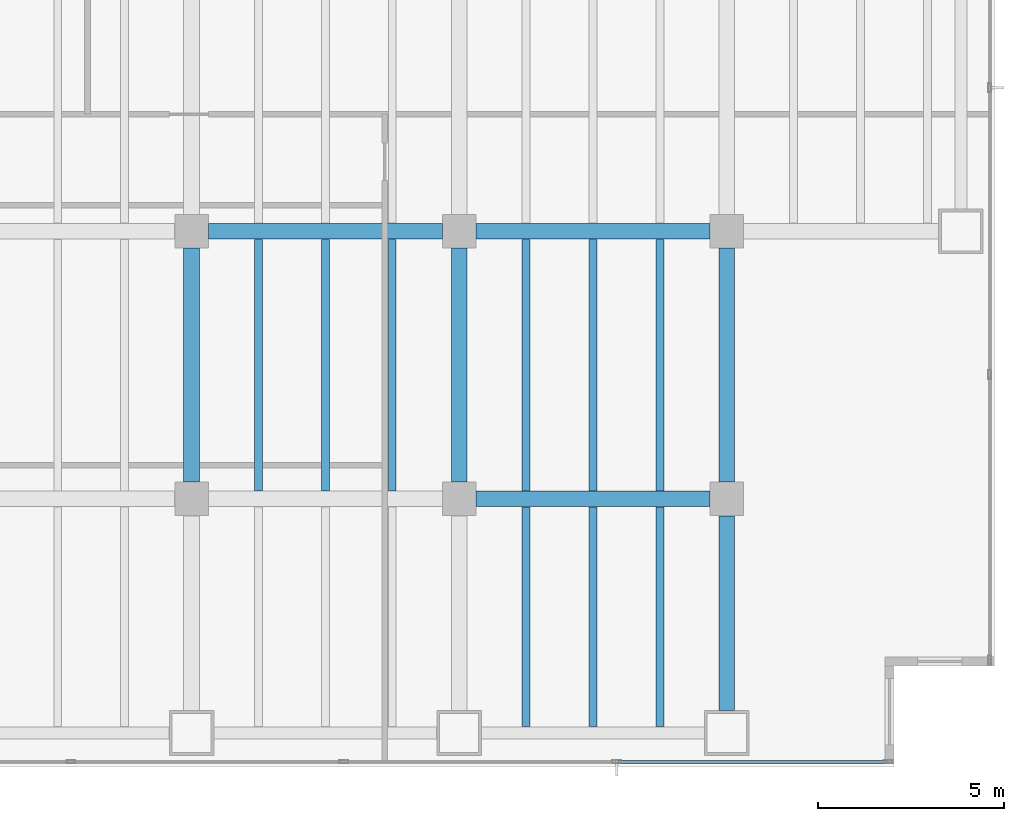
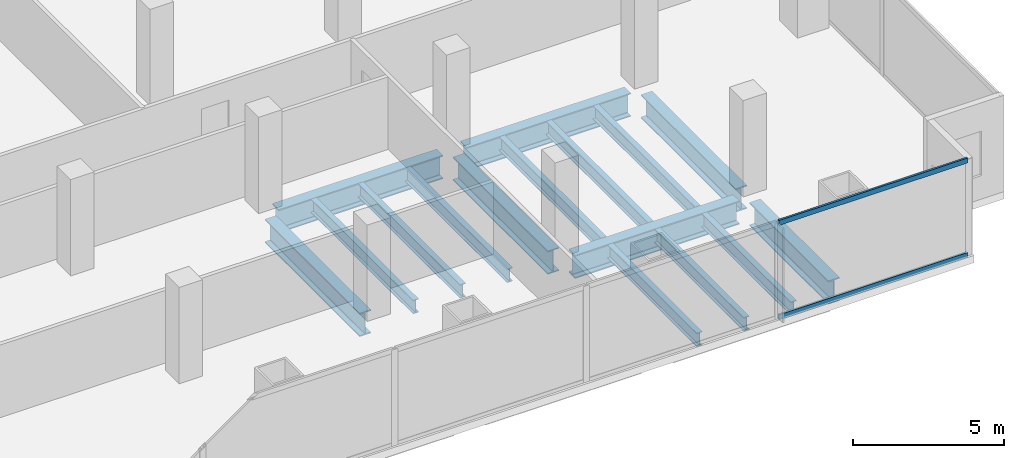
# One storey, part 17 of 31: 16 beams, 2 members, 1 element without a shape of its own.
"""IFC4 building model written with IfcOpenShell, lengths in metres."""

from ifc_helpers import new_model, si_unit, direction, frame, origin, origin_2d, place, context, subcontext, project, spatial, hollow_rectangle, i_section, extrude, material, material_profile, profile_set, type_object, element, aggregate, save


model = new_model("IFC4")

# Units and contexts
model_context = context("Model", 3, precision=1e-05, world=origin(), true_north=direction((0.0, 1.0)))
body_context = subcontext(model_context, "Body", "Model", "MODEL_VIEW")
ifc_project = project(units=[si_unit("LENGTHUNIT", "METRE"), si_unit("AREAUNIT", "SQUARE_METRE"), si_unit("VOLUMEUNIT", "CUBIC_METRE"), si_unit("PLANEANGLEUNIT", "RADIAN"), si_unit("MASSUNIT", "GRAM", prefix="KILO")], contexts=[model_context])

# Site, building, storey
site_placement = place(None, origin())
site = spatial("IfcSite", under=ifc_project, at=site_placement, CompositionType="ELEMENT")
building_placement = place(site_placement, origin())
building = spatial("IfcBuilding", under=site, at=building_placement, Name="Cobrela Telecom Tower", CompositionType="ELEMENT")
storey_placement = place(building_placement, frame((0.0, 0.0, 9.449951171875)))
storey = spatial("IfcBuildingStorey", under=building, at=storey_placement, Name="L02", CompositionType="ELEMENT", Elevation=9.449951171875)

# Beams
ifc_material_1 = material(Name="Steel ASTM A992 Grade 50", Category="steel")
ifc_material_profile_1 = material_profile(ifc_material_1, i_section(OverallWidth=0.424072265625, OverallDepth=0.947021484375, WebThickness=0.02392578125, FlangeThickness=0.042724609375, FilletRadius=0.02392578125, at=origin_2d()), Name="W36X302")
ifc_profile_set_1 = profile_set([ifc_material_profile_1], Name="Steel ASTM A992 Grade 50")
beam_type_1 = type_object("IfcBeamType", Name="BM-GIRD-01", PredefinedType="USERDEFINED", material=ifc_profile_set_1)
for number, where, z_axis, x_axis, name in (
    (1, (72.455078125, 7.199951171875, -0.7734375), (1.0, 0.0, 0.0), (0.0, 1.0, 0.0), "L02 Primary Girder X19"),
    (2, (65.2548828125, 14.39990234375, -0.7734375), (1.0, 0.0, 0.0), (0.0, 1.0, 0.0), "L02 Primary Girder X26"),
    (3, (72.455078125, 14.39990234375, -0.7734375), (1.0, 0.0, 0.0), (0.0, 1.0, 0.0), "L02 Primary Girder X27"),
    (4, (64.800048828125, 7.655029296875, -0.7734375), (0.0, 1.0, 0.0), (-1.0, 0.0, 0.0), "L02 Primary Girder Y92"),
    (5, (72.0, 7.655029296875, -0.7734375), (0.0, 1.0, 0.0), (-1.0, 0.0, 0.0), "L02 Primary Girder Y95"),
):
    element("IfcBeam", number, at=place(storey_placement, frame(where, z_axis=z_axis, x_axis=x_axis)), inside=storey, type_object=beam_type_1, Name=name, ObjectType="GIRDER", PredefinedType="USERDEFINED", context=body_context, shape_type="SweptSolid", body=[
        extrude(i_section(OverallWidth=0.424072265625, OverallDepth=0.947021484375, WebThickness=0.02392578125, FlangeThickness=0.042724609375, FilletRadius=0.02392578125, at=origin_2d()), origin(), (0.0, 0.0, 1.0), 6.2900390625),
    ])
beam_1_placement = place(storey_placement, frame((79.199951171875, 1.5048828125, -0.7734375), z_axis=(0.0, 1.0, 0.0), x_axis=(-1.0, 0.0, 0.0)))
element("IfcBeam", 6, at=beam_1_placement, inside=storey, type_object=beam_type_1, Name="L02 Primary Girder Y97", ObjectType="GIRDER", PredefinedType="USERDEFINED", context=body_context, shape_type="SweptSolid", body=[
    extrude(i_section(OverallWidth=0.424072265625, OverallDepth=0.947021484375, WebThickness=0.02392578125, FlangeThickness=0.042724609375, FilletRadius=0.02392578125, at=origin_2d()), origin(), (0.0, 0.0, 1.0), 5.240234375),
])
beam_2_placement = place(storey_placement, frame((79.199951171875, 7.655029296875, -0.7734375), z_axis=(0.0, 1.0, 0.0), x_axis=(-1.0, 0.0, 0.0)))
element("IfcBeam", 7, at=beam_2_placement, inside=storey, type_object=beam_type_1, Name="L02 Primary Girder Y98", ObjectType="GIRDER", PredefinedType="USERDEFINED", context=body_context, shape_type="SweptSolid", body=[
    extrude(i_section(OverallWidth=0.424072265625, OverallDepth=0.947021484375, WebThickness=0.02392578125, FlangeThickness=0.042724609375, FilletRadius=0.02392578125, at=origin_2d()), origin(), (0.0, 0.0, 1.0), 6.2900390625),
])
ifc_material_profile_2 = material_profile(ifc_material_1, i_section(OverallWidth=0.212890625, OverallDepth=0.549072265625, WebThickness=0.0146484375, FlangeThickness=0.023681640625, FilletRadius=0.013916015625, at=origin_2d()), Name="W21X93")
ifc_profile_set_2 = profile_set([ifc_material_profile_2], Name="Steel ASTM A992 Grade 50")
beam_type_2 = type_object("IfcBeamType", Name="BM-JOIST-01", PredefinedType="JOIST", material=ifc_profile_set_2)
for number, where, z_axis, x_axis, name in (
    (8, (66.60009765625, 7.4169921875, -0.574462890625), (0.0, 1.0, 0.0), (-1.0, 0.0, 0.0), "L02 Secondary Composite Floor Beam J119"),
    (9, (68.39990234375, 7.4169921875, -0.574462890625), (0.0, 1.0, 0.0), (-1.0, 0.0, 0.0), "L02 Secondary Composite Floor Beam J122"),
    (10, (70.199951171875, 7.4169921875, -0.574462890625), (0.0, 1.0, 0.0), (-1.0, 0.0, 0.0), "L02 Secondary Composite Floor Beam J125"),
):
    element("IfcBeam", number, at=place(storey_placement, frame(where, z_axis=z_axis, x_axis=x_axis)), inside=storey, type_object=beam_type_2, Name=name, PredefinedType="JOIST", context=body_context, shape_type="SweptSolid", body=[
        extrude(i_section(OverallWidth=0.212890625, OverallDepth=0.549072265625, WebThickness=0.0146484375, FlangeThickness=0.023681640625, FilletRadius=0.013916015625, at=origin_2d()), origin(), (0.0, 0.0, 1.0), 6.76611328125),
    ])
beam_3_placement = place(storey_placement, frame((73.800048828125, 1.069091796875, -0.574462890625), z_axis=(0.0, 1.0, 0.0), x_axis=(-1.0, 0.0, 0.0)))
element("IfcBeam", 11, at=beam_3_placement, inside=storey, type_object=beam_type_2, Name="L02 Secondary Composite Floor Beam J127", PredefinedType="JOIST", context=body_context, shape_type="SweptSolid", body=[
    extrude(i_section(OverallWidth=0.212890625, OverallDepth=0.549072265625, WebThickness=0.0146484375, FlangeThickness=0.023681640625, FilletRadius=0.013916015625, at=origin_2d()), origin(), (0.0, 0.0, 1.0), 5.913818359375),
])
beam_4_placement = place(storey_placement, frame((73.800048828125, 7.4169921875, -0.574462890625), z_axis=(0.0, 1.0, 0.0), x_axis=(-1.0, 0.0, 0.0)))
element("IfcBeam", 12, at=beam_4_placement, inside=storey, type_object=beam_type_2, Name="L02 Secondary Composite Floor Beam J128", PredefinedType="JOIST", context=body_context, shape_type="SweptSolid", body=[
    extrude(i_section(OverallWidth=0.212890625, OverallDepth=0.549072265625, WebThickness=0.0146484375, FlangeThickness=0.023681640625, FilletRadius=0.013916015625, at=origin_2d()), origin(), (0.0, 0.0, 1.0), 6.76611328125),
])
beam_5_placement = place(storey_placement, frame((75.60009765625, 1.069091796875, -0.574462890625), z_axis=(0.0, 1.0, 0.0), x_axis=(-1.0, 0.0, 0.0)))
element("IfcBeam", 13, at=beam_5_placement, inside=storey, type_object=beam_type_2, Name="L02 Secondary Composite Floor Beam J130", PredefinedType="JOIST", context=body_context, shape_type="SweptSolid", body=[
    extrude(i_section(OverallWidth=0.212890625, OverallDepth=0.549072265625, WebThickness=0.0146484375, FlangeThickness=0.023681640625, FilletRadius=0.013916015625, at=origin_2d()), origin(), (0.0, 0.0, 1.0), 5.913818359375),
])
beam_6_placement = place(storey_placement, frame((75.60009765625, 7.4169921875, -0.574462890625), z_axis=(0.0, 1.0, 0.0), x_axis=(-1.0, 0.0, 0.0)))
element("IfcBeam", 14, at=beam_6_placement, inside=storey, type_object=beam_type_2, Name="L02 Secondary Composite Floor Beam J131", PredefinedType="JOIST", context=body_context, shape_type="SweptSolid", body=[
    extrude(i_section(OverallWidth=0.212890625, OverallDepth=0.549072265625, WebThickness=0.0146484375, FlangeThickness=0.023681640625, FilletRadius=0.013916015625, at=origin_2d()), origin(), (0.0, 0.0, 1.0), 6.76611328125),
])
beam_7_placement = place(storey_placement, frame((77.39990234375, 1.069091796875, -0.574462890625), z_axis=(0.0, 1.0, 0.0), x_axis=(-1.0, 0.0, 0.0)))
element("IfcBeam", 15, at=beam_7_placement, inside=storey, type_object=beam_type_2, Name="L02 Secondary Composite Floor Beam J133", PredefinedType="JOIST", context=body_context, shape_type="SweptSolid", body=[
    extrude(i_section(OverallWidth=0.212890625, OverallDepth=0.549072265625, WebThickness=0.0146484375, FlangeThickness=0.023681640625, FilletRadius=0.013916015625, at=origin_2d()), origin(), (0.0, 0.0, 1.0), 5.913818359375),
])
beam_8_placement = place(storey_placement, frame((77.39990234375, 7.4169921875, -0.574462890625), z_axis=(0.0, 1.0, 0.0), x_axis=(-1.0, 0.0, 0.0)))
element("IfcBeam", 16, at=beam_8_placement, inside=storey, type_object=beam_type_2, Name="L02 Secondary Composite Floor Beam J134", PredefinedType="JOIST", context=body_context, shape_type="SweptSolid", body=[
    extrude(i_section(OverallWidth=0.212890625, OverallDepth=0.549072265625, WebThickness=0.0146484375, FlangeThickness=0.023681640625, FilletRadius=0.013916015625, at=origin_2d()), origin(), (0.0, 0.0, 1.0), 6.76611328125),
])

# Curtain wall, members
ifc_material_2 = material(Name="Anodized Bronze Aluminium 6063-T6", Category="aluminium")
curtain_wall_type = type_object("IfcCurtainWallType", Name="CW-SYS-CONC", PredefinedType="USERDEFINED", material=ifc_material_2)
curtain_wall_placement = place(storey_placement, origin())
curtain_wall = element("IfcCurtainWall", 17, at=curtain_wall_placement, inside=storey, type_object=curtain_wall_type, Name="L02 Unitised Bronze Curtain Wall 17", ObjectType="UNITISED CURTAIN WALL", PredefinedType="USERDEFINED")
ifc_material_profile_3 = material_profile(ifc_material_2, hollow_rectangle(XDim=0.080078125, YDim=0.199951171875, WallThickness=0.00390625, at=origin_2d()), Name="ALU 80x200x4")
ifc_profile_set_3 = profile_set([ifc_material_profile_3], Name="Anodized Bronze Aluminium 6063-T6")
member_type = type_object("IfcMemberType", Name="CW-SYS-CONC-TRN", PredefinedType="USERDEFINED", material=ifc_profile_set_3)
member_1_placement = place(storey_placement, frame((83.5, 0.1201171875, 0.0400390625), z_axis=(-1.0, 0.0, 0.0), x_axis=(0.0, -1.0, 0.0)))
member_1 = element("IfcMember", 18, at=member_1_placement, type_object=member_type, Name="CW-CONC transom 1.1", ObjectType="TRANSOM", PredefinedType="USERDEFINED", context=body_context, shape_type="SweptSolid", body=[
    extrude(hollow_rectangle(XDim=0.080078125, YDim=0.199951171875, WallThickness=0.00390625, at=origin_2d()), origin(), (0.0, 0.0, 1.0), 7.221923828125),
])
member_2_placement = place(storey_placement, frame((83.5, 0.1201171875, 3.860107421875), z_axis=(-1.0, 0.0, 0.0), x_axis=(0.0, -1.0, 0.0)))
member_2 = element("IfcMember", 19, at=member_2_placement, type_object=member_type, Name="CW-CONC transom 1.2", ObjectType="TRANSOM", PredefinedType="USERDEFINED", context=body_context, shape_type="SweptSolid", body=[
    extrude(hollow_rectangle(XDim=0.080078125, YDim=0.199951171875, WallThickness=0.00390625, at=origin_2d()), origin(), (0.0, 0.0, 1.0), 7.221923828125),
])
aggregate(curtain_wall, [member_1, member_2])

save(model, "model.ifc")
